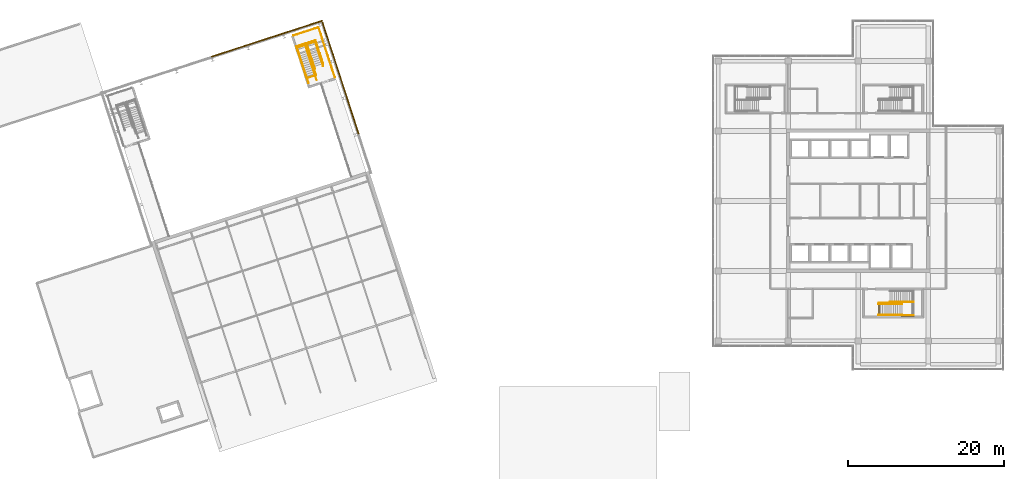
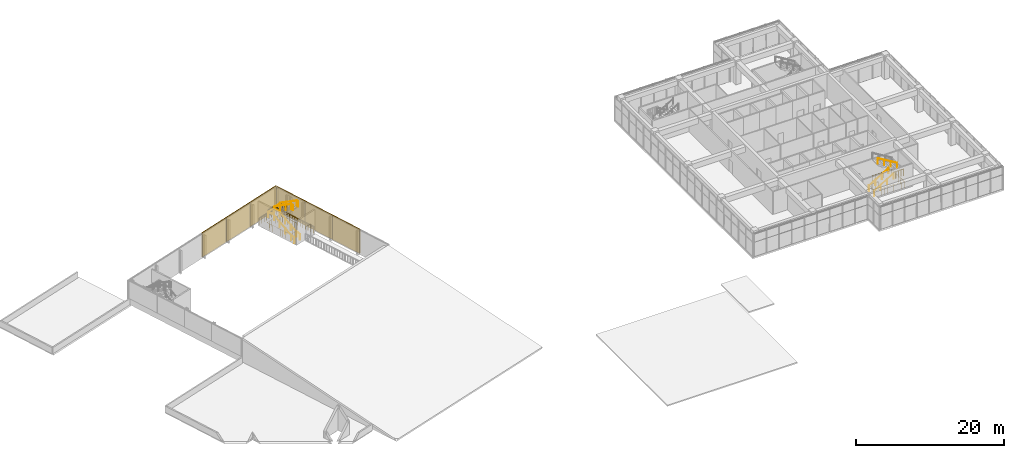
# One storey, part 54 of 55: 13 railings, 6 coverings.
"""IFC4 building model written with IfcOpenShell, lengths in metres."""

from ifc_helpers import new_model, si_unit, direction, frame, origin, origin_2d, place, context, subcontext, project, spatial, polyline, circle, outline, extrude, material, layer, layer_set, type_object, element, save


model = new_model("IFC4")

# Units and contexts
model_context = context("Model", 3, precision=1e-05, world=origin(), true_north=direction((0.0, 1.0)))
body_context = subcontext(model_context, "Body", "Model", "MODEL_VIEW")
ifc_project = project(units=[si_unit("LENGTHUNIT", "METRE"), si_unit("AREAUNIT", "SQUARE_METRE"), si_unit("VOLUMEUNIT", "CUBIC_METRE"), si_unit("PLANEANGLEUNIT", "RADIAN"), si_unit("MASSUNIT", "GRAM", prefix="KILO")], contexts=[model_context])

# Site, building, storey
site_placement = place(None, origin())
site = spatial("IfcSite", under=ifc_project, at=site_placement, CompositionType="ELEMENT")
building_placement = place(site_placement, origin())
building = spatial("IfcBuilding", under=site, at=building_placement, Name="Tuart Plaza Theatre", CompositionType="ELEMENT")
storey_placement = place(building_placement, frame((0.0, 0.0, 21.5)))
storey = spatial("IfcBuildingStorey", under=building, at=storey_placement, Name="L05", CompositionType="ELEMENT", Elevation=21.5)

# Coverings
ifc_material_1 = material(Name="Zinc")
ifc_layer = layer(ifc_material_1, 0.14990234375)
ifc_layer_set = layer_set([ifc_layer], Name="COVERING-ZINC-RAINSCREEN150")
covering_type = type_object("IfcCoveringType", Name="COVERING-ZINC-RAINSCREEN150", PredefinedType="CLADDING", material=ifc_layer_set)
covering_1_placement = place(storey_placement, origin())
element("IfcCovering", 1, at=covering_1_placement, inside=storey, type_object=covering_type, Name="CL41", PredefinedType="CLADDING", context=body_context, shape_type="SweptSolid", body=[
    extrude(outline(polyline([(67.680908203125, 82.611328125), (66.1572265625, 87.300048828125), (66.300048828125, 87.346435546875), (67.823486328125, 82.65771484375), (67.680908203125, 82.611328125)])), origin(), (0.0, 0.0, 1.0), 4.0),
])
covering_2_placement = place(storey_placement, origin())
element("IfcCovering", 2, at=covering_2_placement, inside=storey, type_object=covering_type, Name="CL42", PredefinedType="CLADDING", context=body_context, shape_type="SweptSolid", body=[
    extrude(outline(polyline([(66.151123046875, 87.319091796875), (64.627685546875, 92.0078125), (64.770263671875, 92.05419921875), (66.293701171875, 87.365478515625), (66.151123046875, 87.319091796875)])), origin(), (0.0, 0.0, 1.0), 4.0),
])
covering_3_placement = place(storey_placement, origin())
element("IfcCovering", 3, at=covering_3_placement, inside=storey, type_object=covering_type, Name="CL43", PredefinedType="CLADDING", context=body_context, shape_type="SweptSolid", body=[
    extrude(outline(polyline([(64.62158203125, 92.02685546875), (63.025390625, 96.93896484375), (63.168212890625, 96.9853515625), (64.76416015625, 92.072998046875), (64.62158203125, 92.02685546875)])), origin(), (0.0, 0.0, 1.0), 4.0),
])
covering_4_placement = place(storey_placement, origin())
element("IfcCovering", 4, at=covering_4_placement, inside=storey, type_object=covering_type, Name="CL47", PredefinedType="CLADDING", context=body_context, shape_type="SweptSolid", body=[
    extrude(outline(polyline([(48.807861328125, 92.624267578125), (53.385498046875, 94.11181640625), (53.431884765625, 93.968994140625), (48.854248046875, 92.481689453125), (48.807861328125, 92.624267578125)])), origin(), (0.0, 0.0, 1.0), 4.0),
])
covering_5_placement = place(storey_placement, origin())
element("IfcCovering", 5, at=covering_5_placement, inside=storey, type_object=covering_type, Name="CL48", PredefinedType="CLADDING", context=body_context, shape_type="SweptSolid", body=[
    extrude(outline(polyline([(53.404541015625, 94.117919921875), (57.982421875, 95.605224609375), (58.02880859375, 95.462646484375), (53.450927734375, 93.975341796875), (53.404541015625, 94.117919921875)])), origin(), (0.0, 0.0, 1.0), 4.0),
])
covering_6_placement = place(storey_placement, origin())
element("IfcCovering", 6, at=covering_6_placement, inside=storey, type_object=covering_type, Name="CL49", PredefinedType="CLADDING", context=body_context, shape_type="SweptSolid", body=[
    extrude(outline(polyline([(58.00146484375, 95.611572265625), (63.07861328125, 97.260986328125), (63.124755859375, 97.118408203125), (58.0478515625, 95.46875), (58.00146484375, 95.611572265625)])), origin(), (0.0, 0.0, 1.0), 4.0),
])

# Railings
ifc_material_2 = material(Name="Steel Grade C350L0", Category="steel")
railing_type_1 = type_object("IfcRailingType", Name="RAILING Guard 1100", PredefinedType="GUARDRAIL", material=ifc_material_2)
railing_1_placement = place(storey_placement, frame((62.21435546875, 94.661865234375, 0.0)))
element("IfcRailing", 7, at=railing_1_placement, inside=storey, type_object=railing_type_1, Name="GR88", PredefinedType="GUARDRAIL", context=body_context, shape_type="SweptSolid", body=[
    extrude(circle(Radius=0.02490234375, at=origin_2d()), frame((0.0, 0.0, 1.0751953125), z_axis=(0.30901175762, -0.951058217804, 0.0), x_axis=(0.951058217804, 0.30901175762, 0.0)), (0.0, 0.0, 1.0), 3.119873046875),
    extrude(circle(Radius=0.02490234375, at=origin_2d()), frame((0.964111328125, -2.96728515625, 1.0751953125), z_axis=(-0.950834228174, -0.309700291463, 0.0), x_axis=(0.309700291463, -0.950834228174, 0.0)), (0.0, 0.0, 1.0), 0.044921875),
    extrude(circle(Radius=0.02001953125, at=origin_2d()), origin(), (0.0, 0.0, 1.0), 1.050048828125),
    extrude(circle(Radius=0.02001953125, at=origin_2d()), frame((0.1376953125, -0.423828125, 0.0)), (0.0, 0.0, 1.0), 1.050048828125),
    extrude(circle(Radius=0.02001953125, at=origin_2d()), frame((0.275390625, -0.847900390625, 0.0)), (0.0, 0.0, 1.0), 1.050048828125),
    extrude(circle(Radius=0.02001953125, at=origin_2d()), frame((0.4130859375, -1.271728515625, 0.0)), (0.0, 0.0, 1.0), 1.050048828125),
    extrude(circle(Radius=0.02001953125, at=origin_2d()), frame((0.551025390625, -1.695556640625, 0.0)), (0.0, 0.0, 1.0), 1.050048828125),
    extrude(circle(Radius=0.02001953125, at=origin_2d()), frame((0.688720703125, -2.119384765625, 0.0)), (0.0, 0.0, 1.0), 1.050048828125),
    extrude(circle(Radius=0.02001953125, at=origin_2d()), frame((0.826416015625, -2.54345703125, 0.0)), (0.0, 0.0, 1.0), 1.050048828125),
    extrude(circle(Radius=0.02001953125, at=origin_2d()), frame((0.964111328125, -2.96728515625, 0.0)), (0.0, 0.0, 1.0), 1.050048828125),
    extrude(circle(Radius=0.02001953125, at=origin_2d()), frame((0.92138671875, -2.981201171875, 0.0)), (0.0, 0.0, 1.0), 1.050048828125),
])
railing_2_placement = place(storey_placement, frame((61.919921875, 91.280517578125, 0.0)))
element("IfcRailing", 8, at=railing_2_placement, inside=storey, type_object=railing_type_1, Name="GR89", PredefinedType="GUARDRAIL", context=body_context, shape_type="SweptSolid", body=[
    extrude(circle(Radius=0.02490234375, at=origin_2d()), frame((0.0, 0.0, 1.0751953125), z_axis=(0.308990492345, -0.951065126918, 0.0), x_axis=(0.951065126918, 0.308990492345, 0.0)), (0.0, 0.0, 1.0), 1.1552734375),
    extrude(circle(Radius=0.02490234375, at=origin_2d()), frame((0.35693359375, -1.0986328125, 1.0751953125), z_axis=(-0.95106810125, -0.308981337277, 0.0), x_axis=(0.308981337277, -0.95106810125, 0.0)), (0.0, 0.0, 1.0), 1.26513671875),
    extrude(circle(Radius=0.02490234375, at=origin_2d()), frame((-0.84619140625, -1.489501953125, 1.0751953125), z_axis=(-0.308997073695, 0.951062988686, 0.0), x_axis=(-0.951062988686, -0.308997073695, 0.0)), (0.0, 0.0, 1.0), 4.280029296875),
    extrude(circle(Radius=0.02490234375, at=origin_2d()), frame((-2.168701171875, 2.5810546875, 1.0751953125), z_axis=(0.951059697131, 0.309007204598, 0.0), x_axis=(-0.309007204598, 0.951059697131, 0.0)), (0.0, 0.0, 1.0), 2.58984375),
    extrude(circle(Radius=0.02001953125, at=origin_2d()), origin(), (0.0, 0.0, 1.0), 1.050048828125),
    extrude(circle(Radius=0.02001953125, at=origin_2d()), frame((0.118896484375, -0.3662109375, 0.0)), (0.0, 0.0, 1.0), 1.050048828125),
    extrude(circle(Radius=0.02001953125, at=origin_2d()), frame((0.238037109375, -0.732421875, 0.0)), (0.0, 0.0, 1.0), 1.050048828125),
    extrude(circle(Radius=0.02001953125, at=origin_2d()), frame((0.35693359375, -1.0986328125, 0.0)), (0.0, 0.0, 1.0), 1.050048828125),
    extrude(circle(Radius=0.02001953125, at=origin_2d()), frame((-0.044189453125, -1.22900390625, 0.0)), (0.0, 0.0, 1.0), 1.050048828125),
    extrude(circle(Radius=0.02001953125, at=origin_2d()), frame((-0.445068359375, -1.359130859375, 0.0)), (0.0, 0.0, 1.0), 1.050048828125),
    extrude(circle(Radius=0.02001953125, at=origin_2d()), frame((-0.84619140625, -1.489501953125, 0.0)), (0.0, 0.0, 1.0), 1.050048828125),
    extrude(circle(Radius=0.02001953125, at=origin_2d()), frame((-0.9931640625, -1.037109375, 0.0)), (0.0, 0.0, 1.0), 1.050048828125),
    extrude(circle(Radius=0.02001953125, at=origin_2d()), frame((-1.14013671875, -0.5849609375, 0.0)), (0.0, 0.0, 1.0), 1.050048828125),
    extrude(circle(Radius=0.02001953125, at=origin_2d()), frame((-1.287109375, -0.132568359375, 0.0)), (0.0, 0.0, 1.0), 1.050048828125),
    extrude(circle(Radius=0.02001953125, at=origin_2d()), frame((-1.43408203125, 0.319580078125, 0.0)), (0.0, 0.0, 1.0), 1.050048828125),
    extrude(circle(Radius=0.02001953125, at=origin_2d()), frame((-1.580810546875, 0.77197265625, 0.0)), (0.0, 0.0, 1.0), 1.050048828125),
    extrude(circle(Radius=0.02001953125, at=origin_2d()), frame((-1.727783203125, 1.22412109375, 0.0)), (0.0, 0.0, 1.0), 1.050048828125),
    extrude(circle(Radius=0.02001953125, at=origin_2d()), frame((-1.874755859375, 1.676513671875, 0.0)), (0.0, 0.0, 1.0), 1.050048828125),
    extrude(circle(Radius=0.02001953125, at=origin_2d()), frame((-2.021728515625, 2.128662109375, 0.0)), (0.0, 0.0, 1.0), 1.050048828125),
    extrude(circle(Radius=0.02001953125, at=origin_2d()), frame((-2.168701171875, 2.5810546875, 0.0)), (0.0, 0.0, 1.0), 1.050048828125),
    extrude(circle(Radius=0.02001953125, at=origin_2d()), frame((-1.75830078125, 2.71435546875, 0.0)), (0.0, 0.0, 1.0), 1.050048828125),
    extrude(circle(Radius=0.02001953125, at=origin_2d()), frame((-1.34765625, 2.847900390625, 0.0)), (0.0, 0.0, 1.0), 1.050048828125),
    extrude(circle(Radius=0.02001953125, at=origin_2d()), frame((-0.93701171875, 2.981201171875, 0.0)), (0.0, 0.0, 1.0), 1.050048828125),
    extrude(circle(Radius=0.02001953125, at=origin_2d()), frame((-0.526611328125, 3.114501953125, 0.0)), (0.0, 0.0, 1.0), 1.050048828125),
    extrude(circle(Radius=0.02001953125, at=origin_2d()), frame((-0.1162109375, 3.248046875, 0.0)), (0.0, 0.0, 1.0), 1.050048828125),
    extrude(circle(Radius=0.02001953125, at=origin_2d()), frame((0.29443359375, 3.38134765625, 0.0)), (0.0, 0.0, 1.0), 1.050048828125),
])
railing_3_placement = place(storey_placement, frame((59.880615234375, 93.85107421875, 2.0)))
element("IfcRailing", 9, at=railing_3_placement, inside=storey, type_object=railing_type_1, Name="GR94", PredefinedType="GUARDRAIL", context=body_context, shape_type="SweptSolid", body=[
    extrude(circle(Radius=0.02490234375, at=origin_2d()), frame((0.0, 0.0, 1.0751953125), z_axis=(0.951066681605, 0.308985707017, 0.0), x_axis=(-0.308985707017, 0.951066681605, 0.0)), (0.0, 0.0, 1.0), 2.420166015625),
    extrude(circle(Radius=0.02001953125, at=origin_2d()), origin(), (0.0, 0.0, 1.0), 1.050048828125),
    extrude(circle(Radius=0.02001953125, at=origin_2d()), frame((0.46044921875, 0.149658203125, 0.0)), (0.0, 0.0, 1.0), 1.050048828125),
    extrude(circle(Radius=0.02001953125, at=origin_2d()), frame((0.920654296875, 0.299072265625, 0.0)), (0.0, 0.0, 1.0), 1.050048828125),
    extrude(circle(Radius=0.02001953125, at=origin_2d()), frame((1.381103515625, 0.44873046875, 0.0)), (0.0, 0.0, 1.0), 1.050048828125),
    extrude(circle(Radius=0.02001953125, at=origin_2d()), frame((1.84130859375, 0.59814453125, 0.0)), (0.0, 0.0, 1.0), 1.050048828125),
    extrude(circle(Radius=0.02001953125, at=origin_2d()), frame((2.3017578125, 0.747802734375, 0.0)), (0.0, 0.0, 1.0), 1.050048828125),
])
railing_4_placement = place(storey_placement, frame((62.182373046875, 94.598876953125, 2.0)))
element("IfcRailing", 10, at=railing_4_placement, inside=storey, type_object=railing_type_1, Name="GR95", PredefinedType="GUARDRAIL", context=body_context, shape_type="SweptSolid", body=[
    extrude(circle(Radius=0.02490234375, at=origin_2d()), frame((0.0, 0.0, 1.0751953125), z_axis=(0.309072606719, -0.951038444952, 0.0), x_axis=(0.951038444952, 0.309072606719, 0.0)), (0.0, 0.0, 1.0), 1.22998046875),
    extrude(circle(Radius=0.02001953125, at=origin_2d()), origin(), (0.0, 0.0, 1.0), 1.050048828125),
    extrude(circle(Radius=0.02001953125, at=origin_2d()), frame((0.126708984375, -0.389892578125, 0.0)), (0.0, 0.0, 1.0), 1.050048828125),
    extrude(circle(Radius=0.02001953125, at=origin_2d()), frame((0.25341796875, -0.77978515625, 0.0)), (0.0, 0.0, 1.0), 1.050048828125),
    extrude(circle(Radius=0.02001953125, at=origin_2d()), frame((0.380126953125, -1.169677734375, 0.0)), (0.0, 0.0, 1.0), 1.050048828125),
])
railing_5_placement = place(storey_placement, frame((64.69384765625, 89.894775390625, 0.0)))
element("IfcRailing", 11, at=railing_5_placement, inside=storey, type_object=railing_type_1, Name="GR107", PredefinedType="GUARDRAIL", context=body_context, shape_type="SweptSolid", body=[
    extrude(circle(Radius=0.02490234375, at=origin_2d()), frame((0.0, 0.0, 1.0751953125), z_axis=(-0.309029765674, 0.951052366554, 0.0), x_axis=(-0.951052366554, -0.309029765674, 0.0)), (0.0, 0.0, 1.0), 6.764892578125),
    extrude(circle(Radius=0.02490234375, at=origin_2d()), frame((-2.090576171875, 6.433837890625, 1.0751953125), z_axis=(-0.951065061555, -0.308990693531, 0.0), x_axis=(0.308990693531, -0.951065061555, 0.0)), (0.0, 0.0, 1.0), 3.414794921875),
    extrude(circle(Radius=0.02001953125, at=origin_2d()), origin(), (0.0, 0.0, 1.0), 1.050048828125),
    extrude(circle(Radius=0.02001953125, at=origin_2d()), frame((-0.1494140625, 0.45947265625, 0.0)), (0.0, 0.0, 1.0), 1.050048828125),
    extrude(circle(Radius=0.02001953125, at=origin_2d()), frame((-0.298583984375, 0.919189453125, 0.0)), (0.0, 0.0, 1.0), 1.050048828125),
    extrude(circle(Radius=0.02001953125, at=origin_2d()), frame((-0.447998046875, 1.378662109375, 0.0)), (0.0, 0.0, 1.0), 1.050048828125),
    extrude(circle(Radius=0.02001953125, at=origin_2d()), frame((-0.597412109375, 1.838134765625, 0.0)), (0.0, 0.0, 1.0), 1.050048828125),
    extrude(circle(Radius=0.02001953125, at=origin_2d()), frame((-0.74658203125, 2.2978515625, 0.0)), (0.0, 0.0, 1.0), 1.050048828125),
    extrude(circle(Radius=0.02001953125, at=origin_2d()), frame((-0.89599609375, 2.75732421875, 0.0)), (0.0, 0.0, 1.0), 1.050048828125),
    extrude(circle(Radius=0.02001953125, at=origin_2d()), frame((-1.04541015625, 3.216796875, 0.0)), (0.0, 0.0, 1.0), 1.050048828125),
    extrude(circle(Radius=0.02001953125, at=origin_2d()), frame((-1.194580078125, 3.676513671875, 0.0)), (0.0, 0.0, 1.0), 1.050048828125),
    extrude(circle(Radius=0.02001953125, at=origin_2d()), frame((-1.343994140625, 4.135986328125, 0.0)), (0.0, 0.0, 1.0), 1.050048828125),
    extrude(circle(Radius=0.02001953125, at=origin_2d()), frame((-1.4931640625, 4.595703125, 0.0)), (0.0, 0.0, 1.0), 1.050048828125),
    extrude(circle(Radius=0.02001953125, at=origin_2d()), frame((-1.642578125, 5.05517578125, 0.0)), (0.0, 0.0, 1.0), 1.050048828125),
    extrude(circle(Radius=0.02001953125, at=origin_2d()), frame((-1.7919921875, 5.5146484375, 0.0)), (0.0, 0.0, 1.0), 1.050048828125),
    extrude(circle(Radius=0.02001953125, at=origin_2d()), frame((-1.941162109375, 5.974365234375, 0.0)), (0.0, 0.0, 1.0), 1.050048828125),
    extrude(circle(Radius=0.02001953125, at=origin_2d()), frame((-2.090576171875, 6.433837890625, 0.0)), (0.0, 0.0, 1.0), 1.050048828125),
    extrude(circle(Radius=0.02001953125, at=origin_2d()), frame((-2.554443359375, 6.283203125, 0.0)), (0.0, 0.0, 1.0), 1.050048828125),
    extrude(circle(Radius=0.02001953125, at=origin_2d()), frame((-3.0185546875, 6.13232421875, 0.0)), (0.0, 0.0, 1.0), 1.050048828125),
    extrude(circle(Radius=0.02001953125, at=origin_2d()), frame((-3.482421875, 5.981689453125, 0.0)), (0.0, 0.0, 1.0), 1.050048828125),
    extrude(circle(Radius=0.02001953125, at=origin_2d()), frame((-3.946533203125, 5.830810546875, 0.0)), (0.0, 0.0, 1.0), 1.050048828125),
    extrude(circle(Radius=0.02001953125, at=origin_2d()), frame((-4.410400390625, 5.68017578125, 0.0)), (0.0, 0.0, 1.0), 1.050048828125),
    extrude(circle(Radius=0.02001953125, at=origin_2d()), frame((-4.87451171875, 5.529296875, 0.0)), (0.0, 0.0, 1.0), 1.050048828125),
    extrude(circle(Radius=0.02001953125, at=origin_2d()), frame((-5.33837890625, 5.378662109375, 0.0)), (0.0, 0.0, 1.0), 1.050048828125),
])
railing_6_placement = place(storey_placement, frame((134.655029296875, 60.875, 0.0)))
element("IfcRailing", 12, at=railing_6_placement, inside=storey, type_object=railing_type_1, Name="GR219", PredefinedType="GUARDRAIL", context=body_context, shape_type="SweptSolid", body=[
    extrude(circle(Radius=0.02490234375, at=origin_2d()), frame((0.0, 0.0, 1.0751953125), z_axis=(1.0, 0.0, 0.0), x_axis=(0.0, 1.0, 0.0)), (0.0, 0.0, 1.0), 1.455078125),
    extrude(circle(Radius=0.02001953125, at=origin_2d()), origin(), (0.0, 0.0, 1.0), 1.050048828125),
    extrude(circle(Radius=0.02001953125, at=origin_2d()), frame((0.485107421875, 0.0, 0.0)), (0.0, 0.0, 1.0), 1.050048828125),
    extrude(circle(Radius=0.02001953125, at=origin_2d()), frame((0.969970703125, 0.0, 0.0)), (0.0, 0.0, 1.0), 1.050048828125),
    extrude(circle(Radius=0.02001953125, at=origin_2d()), frame((1.455078125, 0.0, 0.0)), (0.0, 0.0, 1.0), 1.050048828125),
])
railing_7_placement = place(storey_placement, frame((136.114990234375, 62.455078125, 0.0)))
element("IfcRailing", 13, at=railing_7_placement, inside=storey, type_object=railing_type_1, Name="GR220", PredefinedType="GUARDRAIL", context=body_context, shape_type="SweptSolid", body=[
    extrude(circle(Radius=0.02490234375, at=origin_2d()), frame((0.0, 0.0, 1.0751953125), z_axis=(0.0, 1.0, 0.0), x_axis=(-1.0, 0.0, 0.0)), (0.0, 0.0, 1.0), 0.044921875),
    extrude(circle(Radius=0.02490234375, at=origin_2d()), frame((0.0, 0.044921875, 1.0751953125), z_axis=(1.0, 0.0, 0.0), x_axis=(0.0, 1.0, 0.0)), (0.0, 0.0, 1.0), 1.43505859375),
    extrude(circle(Radius=0.02490234375, at=origin_2d()), frame((1.43505859375, 0.044921875, 1.0751953125), z_axis=(0.0, 1.0, 0.0), x_axis=(-1.0, 0.0, 0.0)), (0.0, 0.0, 1.0), 0.074951171875),
    extrude(circle(Radius=0.02490234375, at=origin_2d()), frame((1.43505859375, 0.119873046875, 1.0751953125), z_axis=(1.0, 0.0, 0.0), x_axis=(0.0, 1.0, 0.0)), (0.0, 0.0, 1.0), 1.6298828125),
    extrude(circle(Radius=0.02490234375, at=origin_2d()), frame((3.06494140625, 0.119873046875, 1.0751953125), z_axis=(0.0, -1.0, 0.0), x_axis=(1.0, 0.0, 0.0)), (0.0, 0.0, 1.0), 3.39990234375),
    extrude(circle(Radius=0.02490234375, at=origin_2d()), frame((3.06494140625, -3.280029296875, 1.0751953125), z_axis=(-1.0, 0.0, 0.0), x_axis=(0.0, -1.0, 0.0)), (0.0, 0.0, 1.0), 1.6298828125),
    extrude(circle(Radius=0.02490234375, at=origin_2d()), frame((1.43505859375, -3.280029296875, 1.0751953125), z_axis=(0.0, 1.0, 0.0), x_axis=(-1.0, 0.0, 0.0)), (0.0, 0.0, 1.0), 0.074951171875),
    extrude(circle(Radius=0.02490234375, at=origin_2d()), frame((1.43505859375, -3.205078125, 1.0751953125), z_axis=(-1.0, 0.0, 0.0), x_axis=(0.0, -1.0, 0.0)), (0.0, 0.0, 1.0), 2.89501953125),
    extrude(circle(Radius=0.02490234375, at=origin_2d()), frame((-1.4599609375, -3.205078125, 1.0751953125), z_axis=(0.0, 1.0, 0.0), x_axis=(-1.0, 0.0, 0.0)), (0.0, 0.0, 1.0), 1.625),
    extrude(circle(Radius=0.02001953125, at=origin_2d()), origin(), (0.0, 0.0, 1.0), 1.050048828125),
    extrude(circle(Radius=0.02001953125, at=origin_2d()), frame((0.0, 0.044921875, 0.0)), (0.0, 0.0, 1.0), 1.050048828125),
    extrude(circle(Radius=0.02001953125, at=origin_2d()), frame((0.478271484375, 0.044921875, 0.0)), (0.0, 0.0, 1.0), 1.050048828125),
    extrude(circle(Radius=0.02001953125, at=origin_2d()), frame((0.956787109375, 0.044921875, 0.0)), (0.0, 0.0, 1.0), 1.050048828125),
    extrude(circle(Radius=0.02001953125, at=origin_2d()), frame((1.43505859375, 0.044921875, 0.0)), (0.0, 0.0, 1.0), 1.050048828125),
    extrude(circle(Radius=0.02001953125, at=origin_2d()), frame((1.43505859375, 0.119873046875, 0.0)), (0.0, 0.0, 1.0), 1.050048828125),
    extrude(circle(Radius=0.02001953125, at=origin_2d()), frame((1.842529296875, 0.119873046875, 0.0)), (0.0, 0.0, 1.0), 1.050048828125),
    extrude(circle(Radius=0.02001953125, at=origin_2d()), frame((2.25, 0.119873046875, 0.0)), (0.0, 0.0, 1.0), 1.050048828125),
    extrude(circle(Radius=0.02001953125, at=origin_2d()), frame((2.657470703125, 0.119873046875, 0.0)), (0.0, 0.0, 1.0), 1.050048828125),
    extrude(circle(Radius=0.02001953125, at=origin_2d()), frame((3.06494140625, 0.119873046875, 0.0)), (0.0, 0.0, 1.0), 1.050048828125),
    extrude(circle(Radius=0.02001953125, at=origin_2d()), frame((3.06494140625, -0.36572265625, 0.0)), (0.0, 0.0, 1.0), 1.050048828125),
    extrude(circle(Radius=0.02001953125, at=origin_2d()), frame((3.06494140625, -0.8515625, 0.0)), (0.0, 0.0, 1.0), 1.050048828125),
    extrude(circle(Radius=0.02001953125, at=origin_2d()), frame((3.06494140625, -1.337158203125, 0.0)), (0.0, 0.0, 1.0), 1.050048828125),
    extrude(circle(Radius=0.02001953125, at=origin_2d()), frame((3.06494140625, -1.822998046875, 0.0)), (0.0, 0.0, 1.0), 1.050048828125),
    extrude(circle(Radius=0.02001953125, at=origin_2d()), frame((3.06494140625, -2.30859375, 0.0)), (0.0, 0.0, 1.0), 1.050048828125),
    extrude(circle(Radius=0.02001953125, at=origin_2d()), frame((3.06494140625, -2.79443359375, 0.0)), (0.0, 0.0, 1.0), 1.050048828125),
    extrude(circle(Radius=0.02001953125, at=origin_2d()), frame((3.06494140625, -3.280029296875, 0.0)), (0.0, 0.0, 1.0), 1.050048828125),
    extrude(circle(Radius=0.02001953125, at=origin_2d()), frame((2.657470703125, -3.280029296875, 0.0)), (0.0, 0.0, 1.0), 1.050048828125),
    extrude(circle(Radius=0.02001953125, at=origin_2d()), frame((2.25, -3.280029296875, 0.0)), (0.0, 0.0, 1.0), 1.050048828125),
    extrude(circle(Radius=0.02001953125, at=origin_2d()), frame((1.842529296875, -3.280029296875, 0.0)), (0.0, 0.0, 1.0), 1.050048828125),
    extrude(circle(Radius=0.02001953125, at=origin_2d()), frame((1.43505859375, -3.280029296875, 0.0)), (0.0, 0.0, 1.0), 1.050048828125),
    extrude(circle(Radius=0.02001953125, at=origin_2d()), frame((1.43505859375, -3.205078125, 0.0)), (0.0, 0.0, 1.0), 1.050048828125),
    extrude(circle(Radius=0.02001953125, at=origin_2d()), frame((0.95263671875, -3.205078125, 0.0)), (0.0, 0.0, 1.0), 1.050048828125),
    extrude(circle(Radius=0.02001953125, at=origin_2d()), frame((0.469970703125, -3.205078125, 0.0)), (0.0, 0.0, 1.0), 1.050048828125),
    extrude(circle(Radius=0.02001953125, at=origin_2d()), frame((-0.012451171875, -3.205078125, 0.0)), (0.0, 0.0, 1.0), 1.050048828125),
    extrude(circle(Radius=0.02001953125, at=origin_2d()), frame((-0.494873046875, -3.205078125, 0.0)), (0.0, 0.0, 1.0), 1.050048828125),
    extrude(circle(Radius=0.02001953125, at=origin_2d()), frame((-0.9775390625, -3.205078125, 0.0)), (0.0, 0.0, 1.0), 1.050048828125),
    extrude(circle(Radius=0.02001953125, at=origin_2d()), frame((-1.4599609375, -3.205078125, 0.0)), (0.0, 0.0, 1.0), 1.050048828125),
    extrude(circle(Radius=0.02001953125, at=origin_2d()), frame((-1.4599609375, -2.798828125, 0.0)), (0.0, 0.0, 1.0), 1.050048828125),
    extrude(circle(Radius=0.02001953125, at=origin_2d()), frame((-1.4599609375, -2.392578125, 0.0)), (0.0, 0.0, 1.0), 1.050048828125),
    extrude(circle(Radius=0.02001953125, at=origin_2d()), frame((-1.4599609375, -1.986328125, 0.0)), (0.0, 0.0, 1.0), 1.050048828125),
    extrude(circle(Radius=0.02001953125, at=origin_2d()), frame((-1.4599609375, -1.580078125, 0.0)), (0.0, 0.0, 1.0), 1.050048828125),
])
railing_8_placement = place(storey_placement, frame((137.60009765625, 59.300048828125, 2.0)))
element("IfcRailing", 14, at=railing_8_placement, inside=storey, type_object=railing_type_1, Name="GR226", PredefinedType="GUARDRAIL", context=body_context, shape_type="SweptSolid", body=[
    extrude(circle(Radius=0.02490234375, at=origin_2d()), frame((0.0, 0.0, 1.0751953125), z_axis=(1.0, 0.0, 0.0), x_axis=(0.0, 1.0, 0.0)), (0.0, 0.0, 1.0), 1.52978515625),
    extrude(circle(Radius=0.02001953125, at=origin_2d()), origin(), (0.0, 0.0, 1.0), 1.050048828125),
    extrude(circle(Radius=0.02001953125, at=origin_2d()), frame((0.38232421875, 0.0, 0.0)), (0.0, 0.0, 1.0), 1.050048828125),
    extrude(circle(Radius=0.02001953125, at=origin_2d()), frame((0.764892578125, 0.0, 0.0)), (0.0, 0.0, 1.0), 1.050048828125),
    extrude(circle(Radius=0.02001953125, at=origin_2d()), frame((1.1474609375, 0.0, 0.0)), (0.0, 0.0, 1.0), 1.050048828125),
    extrude(circle(Radius=0.02001953125, at=origin_2d()), frame((1.52978515625, 0.0, 0.0)), (0.0, 0.0, 1.0), 1.050048828125),
])
ifc_material_3 = material(Name="Steel Grade C350L0", Category="steel")
railing_type_2 = type_object("IfcRailingType", Name="RAILING Handrail 900", PredefinedType="HANDRAIL", material=ifc_material_3)
railing_9_placement = place(storey_placement, frame((62.36181640625, 89.515625, 0.0)))
element("IfcRailing", 15, at=railing_9_placement, inside=storey, type_object=railing_type_2, Name="HR51", PredefinedType="HANDRAIL", context=body_context, shape_type="SweptSolid", body=[
    extrude(circle(Radius=0.0224609375, at=origin_2d()), frame((0.0, 0.0, 0.87744140625), z_axis=(-0.297609553916, 0.916355108697, 0.267809387779), x_axis=(-0.951096855055, -0.308892816854, 0.0)), (0.0, 0.0, 1.0), 0.62255859375),
    extrude(circle(Radius=0.0224609375, at=origin_2d()), frame((-0.185302734375, 0.570556640625, 1.044189453125), z_axis=(-0.265561944864, 0.817255136299, 0.511440021541), x_axis=(-0.951049794196, -0.309037682104, 0.0)), (0.0, 0.0, 1.0), 3.58447265625),
    extrude(circle(Radius=0.0224609375, at=origin_2d()), frame((-1.13720703125, 3.5, 2.87744140625), z_axis=(-0.308960600764, 0.951074837842, 0.0), x_axis=(-0.951074837842, -0.308960600764, 0.0)), (0.0, 0.0, 1.0), 1.099853515625),
    extrude(circle(Radius=0.0224609375, at=origin_2d()), frame((-1.47705078125, 4.546142578125, 2.87744140625), z_axis=(0.705499316443, 0.228888895273, 0.670731382984), x_axis=(-0.308600224758, 0.951191832008, 0.0)), (0.0, 0.0, 1.0), 0.337158203125),
    extrude(circle(Radius=0.0224609375, at=origin_2d()), frame((-1.2392578125, 4.623291015625, 3.103515625), z_axis=(0.265533988883, -0.817228016156, 0.511497869359), x_axis=(0.951056341824, 0.309017531343, 0.0)), (0.0, 0.0, 1.0), 3.468017578125),
    extrude(circle(Radius=0.0224609375, at=origin_2d()), frame((-0.318359375, 1.7890625, 4.87744140625), z_axis=(0.309380609282, -0.950938293792, 0.0), x_axis=(0.950938293792, 0.309380609282, 0.0)), (0.0, 0.0, 1.0), 0.2998046875),
    extrude(circle(Radius=0.01513671875, at=origin_2d()), origin(), (0.0, 0.0, 1.0), 0.85498046875),
    extrude(circle(Radius=0.01513671875, at=origin_2d()), frame((-0.185302734375, 0.570556640625, 0.166748046875)), (0.0, 0.0, 1.0), 0.85498046875),
    extrude(circle(Radius=0.01513671875, at=origin_2d()), frame((-0.502685546875, 1.547119140625, 0.77783203125)), (0.0, 0.0, 1.0), 0.85498046875),
    extrude(circle(Radius=0.01513671875, at=origin_2d()), frame((-0.81982421875, 2.5234375, 1.388916015625)), (0.0, 0.0, 1.0), 0.85498046875),
    extrude(circle(Radius=0.01513671875, at=origin_2d()), frame((-1.13720703125, 3.5, 2.0)), (0.0, 0.0, 1.0), 0.85498046875),
    extrude(circle(Radius=0.01513671875, at=origin_2d()), frame((-1.47705078125, 4.546142578125, 2.0)), (0.0, 0.0, 1.0), 0.85498046875),
    extrude(circle(Radius=0.01513671875, at=origin_2d()), frame((-1.2392578125, 4.623291015625, 2.22607421875)), (0.0, 0.0, 1.0), 0.85498046875),
    extrude(circle(Radius=0.01513671875, at=origin_2d()), frame((-0.932373046875, 3.678466796875, 2.8173828125)), (0.0, 0.0, 1.0), 0.85498046875),
    extrude(circle(Radius=0.01513671875, at=origin_2d()), frame((-0.625244140625, 2.73388671875, 3.40869140625)), (0.0, 0.0, 1.0), 0.85498046875),
    extrude(circle(Radius=0.01513671875, at=origin_2d()), frame((-0.318359375, 1.7890625, 4.0)), (0.0, 0.0, 1.0), 0.85498046875),
    extrude(circle(Radius=0.01513671875, at=origin_2d()), frame((-0.2255859375, 1.50390625, 4.0)), (0.0, 0.0, 1.0), 0.85498046875),
])
railing_10_placement = place(storey_placement, frame((61.315673828125, 89.17578125, 0.0)))
element("IfcRailing", 16, at=railing_10_placement, inside=storey, type_object=railing_type_2, Name="HR52", PredefinedType="HANDRAIL", context=body_context, shape_type="SweptSolid", body=[
    extrude(circle(Radius=0.0224609375, at=origin_2d()), frame((0.0, 0.0, 0.87744140625), z_axis=(-0.297609553916, 0.916355108697, 0.267809387779), x_axis=(-0.951096855055, -0.308892816854, 0.0)), (0.0, 0.0, 1.0), 0.62255859375),
    extrude(circle(Radius=0.0224609375, at=origin_2d()), frame((-0.185302734375, 0.570556640625, 1.044189453125), z_axis=(-0.265576727582, 0.817232515395, 0.511468491257), x_axis=(-0.951042223598, -0.309060979314, 0.0)), (0.0, 0.0, 1.0), 3.584228515625),
    extrude(circle(Radius=0.0224609375, at=origin_2d()), frame((-1.13720703125, 3.499755859375, 2.87744140625), z_axis=(-0.308960600764, 0.951074837842, 0.0), x_axis=(-0.951074837842, -0.308960600764, 0.0)), (0.0, 0.0, 1.0), 1.099853515625),
    extrude(circle(Radius=0.0224609375, at=origin_2d()), frame((-1.47705078125, 4.5458984375, 2.87744140625), z_axis=(0.947034141024, 0.307706713256, 0.091885332627), x_axis=(-0.309013967595, 0.95105749975, 0.0)), (0.0, 0.0, 1.0), 2.46044921875),
    extrude(circle(Radius=0.0224609375, at=origin_2d()), frame((0.85302734375, 5.302978515625, 3.103515625), z_axis=(0.265549265619, -0.817204632901, 0.511527296921), x_axis=(0.951048517831, 0.309041610033, 0.0)), (0.0, 0.0, 1.0), 3.468017578125),
    extrude(circle(Radius=0.0224609375, at=origin_2d()), frame((1.77392578125, 2.468994140625, 4.87744140625), z_axis=(0.309141257546, -0.951016131768, 0.0), x_axis=(0.951016131768, 0.309141257546, 0.0)), (0.0, 0.0, 1.0), 0.300048828125),
    extrude(circle(Radius=0.01513671875, at=origin_2d()), origin(), (0.0, 0.0, 1.0), 0.85498046875),
    extrude(circle(Radius=0.01513671875, at=origin_2d()), frame((-0.185302734375, 0.570556640625, 0.166748046875)), (0.0, 0.0, 1.0), 0.85498046875),
    extrude(circle(Radius=0.01513671875, at=origin_2d()), frame((-0.502685546875, 1.546875, 0.77783203125)), (0.0, 0.0, 1.0), 0.85498046875),
    extrude(circle(Radius=0.01513671875, at=origin_2d()), frame((-0.81982421875, 2.5234375, 1.388916015625)), (0.0, 0.0, 1.0), 0.85498046875),
    extrude(circle(Radius=0.01513671875, at=origin_2d()), frame((-1.13720703125, 3.499755859375, 2.0)), (0.0, 0.0, 1.0), 0.85498046875),
    extrude(circle(Radius=0.01513671875, at=origin_2d()), frame((-1.47705078125, 4.5458984375, 2.0)), (0.0, 0.0, 1.0), 0.85498046875),
    extrude(circle(Radius=0.01513671875, at=origin_2d()), frame((-0.31201171875, 4.92431640625, 2.113037109375)), (0.0, 0.0, 1.0), 0.85498046875),
    extrude(circle(Radius=0.01513671875, at=origin_2d()), frame((0.85302734375, 5.302978515625, 2.22607421875)), (0.0, 0.0, 1.0), 0.85498046875),
    extrude(circle(Radius=0.01513671875, at=origin_2d()), frame((1.159912109375, 4.3583984375, 2.8173828125)), (0.0, 0.0, 1.0), 0.85498046875),
    extrude(circle(Radius=0.01513671875, at=origin_2d()), frame((1.467041015625, 3.41357421875, 3.40869140625)), (0.0, 0.0, 1.0), 0.85498046875),
    extrude(circle(Radius=0.01513671875, at=origin_2d()), frame((1.77392578125, 2.468994140625, 4.0)), (0.0, 0.0, 1.0), 0.85498046875),
    extrude(circle(Radius=0.01513671875, at=origin_2d()), frame((1.86669921875, 2.18359375, 4.0)), (0.0, 0.0, 1.0), 0.85498046875),
])
for number, where, name in (
    (17, (134.594970703125, 60.75, 0.166748046875), "HR135"),
    (18, (134.594970703125, 59.35009765625, 0.166748046875), "HR136"),
):
    element("IfcRailing", number, at=place(storey_placement, frame(where)), inside=storey, type_object=railing_type_2, Name=name, PredefinedType="HANDRAIL", context=body_context, shape_type="SweptSolid", body=[
        extrude(circle(Radius=0.0224609375, at=origin_2d()), frame((0.0, 0.0, 0.87744140625), z_axis=(0.855219153138, 0.0, 0.518266533848), x_axis=(0.0, 1.0, 0.0)), (0.0, 0.0, 1.0), 3.537353515625),
        extrude(circle(Radius=0.01513671875, at=origin_2d()), origin(), (0.0, 0.0, 1.0), 0.85498046875),
        extrude(circle(Radius=0.01513671875, at=origin_2d()), frame((1.00830078125, 0.0, 0.611083984375)), (0.0, 0.0, 1.0), 0.85498046875),
        extrude(circle(Radius=0.01513671875, at=origin_2d()), frame((2.016845703125, 0.0, 1.22216796875)), (0.0, 0.0, 1.0), 0.85498046875),
        extrude(circle(Radius=0.01513671875, at=origin_2d()), frame((3.025146484375, 0.0, 1.833251953125)), (0.0, 0.0, 1.0), 0.85498046875),
    ])
railing_11_placement = place(storey_placement, frame((139.1201171875, 61.0, 2.166748046875)))
element("IfcRailing", 19, at=railing_11_placement, inside=storey, type_object=railing_type_2, Name="HR137", PredefinedType="HANDRAIL", context=body_context, shape_type="SweptSolid", body=[
    extrude(circle(Radius=0.0224609375, at=origin_2d()), frame((0.0, 0.0, 0.87744140625), z_axis=(-0.855219153138, 0.0, 0.518266533848), x_axis=(0.0, -1.0, 0.0)), (0.0, 0.0, 1.0), 3.537353515625),
    extrude(circle(Radius=0.01513671875, at=origin_2d()), origin(), (0.0, 0.0, 1.0), 0.85498046875),
    extrude(circle(Radius=0.01513671875, at=origin_2d()), frame((-1.00830078125, 0.0, 0.611083984375)), (0.0, 0.0, 1.0), 0.85498046875),
    extrude(circle(Radius=0.01513671875, at=origin_2d()), frame((-2.016845703125, 0.0, 1.22216796875)), (0.0, 0.0, 1.0), 0.85498046875),
    extrude(circle(Radius=0.01513671875, at=origin_2d()), frame((-3.025146484375, 0.0, 1.833251953125)), (0.0, 0.0, 1.0), 0.85498046875),
])

save(model, "model.ifc")
